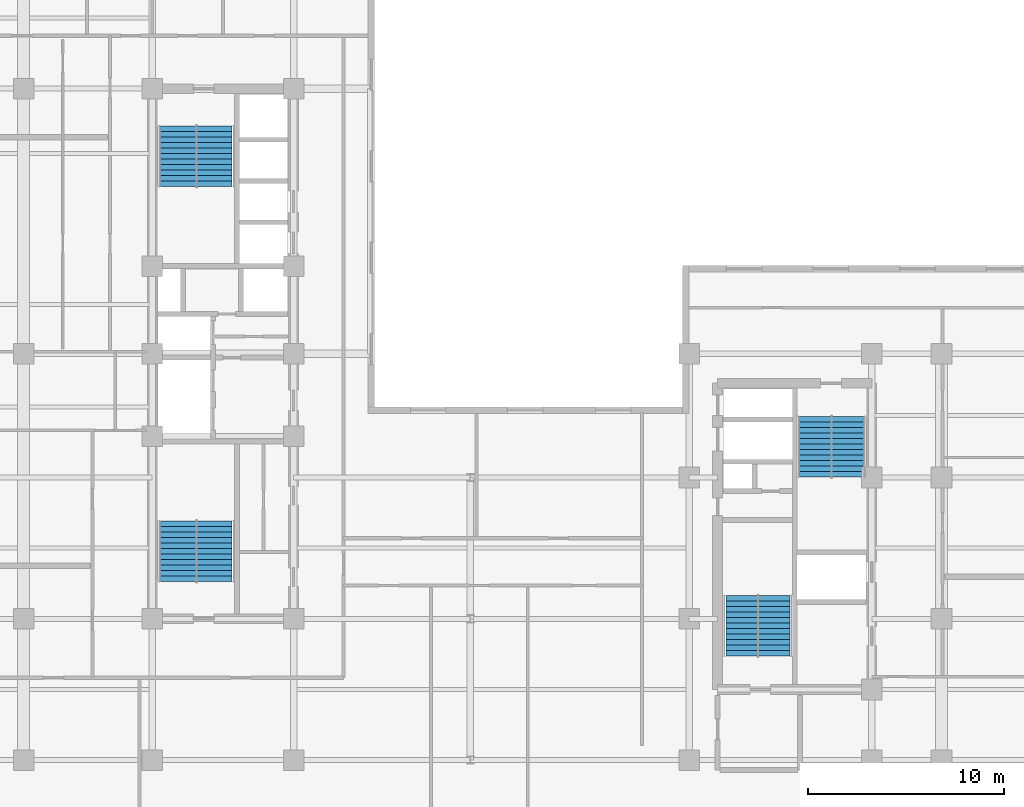
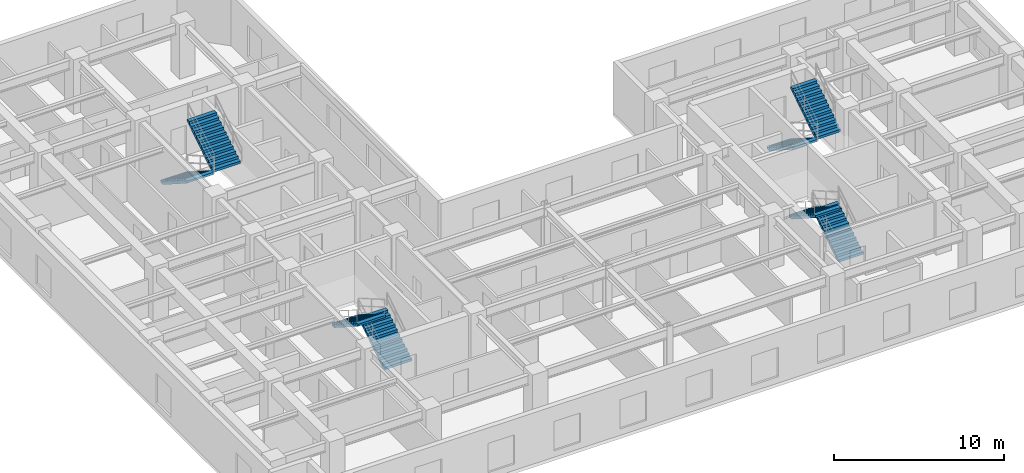
# One storey, part 7 of 10: 8 stair flights, 4 elements without a shape of their own.
"""IFC4 building model written with IfcOpenShell, lengths in metres."""

from ifc_helpers import new_model, entity, si_unit, converted_unit, direction, frame, origin_with_axes, place, context, subcontext, project, spatial, polyline, outline, extrude, material, type_object, element, aggregate, save


model = new_model("IFC4")

# Units and contexts
model_context = context("Model", 3, precision=1e-05, world=origin_with_axes(), true_north=direction((0.0, 1.0)))
body_context = subcontext(model_context, "Body", "Model", "MODEL_VIEW")
ifc_project = project(units=[si_unit("LENGTHUNIT", "METRE"), si_unit("AREAUNIT", "SQUARE_METRE"), si_unit("VOLUMEUNIT", "CUBIC_METRE"), converted_unit("PLANEANGLEUNIT", "DEGREE", entity("IfcPlaneAngleMeasure", 0.017453292519943295), si_unit("PLANEANGLEUNIT", "RADIAN"), dimensions=[0, 0, 0, 0, 0, 0, 0]), si_unit("MASSUNIT", "GRAM", prefix="KILO"), si_unit("THERMODYNAMICTEMPERATUREUNIT", "KELVIN")], contexts=[model_context])

# Site, building, storey
site_placement = place(None, origin_with_axes())
site = spatial("IfcSite", under=ifc_project, at=site_placement, CompositionType="ELEMENT")
building_placement = place(site_placement, origin_with_axes())
building = spatial("IfcBuilding", under=site, at=building_placement, Name="Varnlund Millrace Tower", CompositionType="ELEMENT")
storey_placement = place(building_placement, frame((0.0, 0.0, 152.4), z_axis=(0.0, 0.0, 1.0), x_axis=(1.0, 0.0, 0.0)))
storey = spatial("IfcBuildingStorey", under=building, at=storey_placement, Name="L37", CompositionType="ELEMENT", Elevation=152.4)

# Stair, stair flights
ifc_material_1 = material(Name="Concrete C50/60", Category="concrete")
stair_type_1 = type_object("IfcStairType", Name="Type-Stair-Dogleg-165-390", PredefinedType="HALF_TURN_STAIR", material=ifc_material_1)
stair_1_placement = place(storey_placement, origin_with_axes())
stair_1 = element("IfcStair", 1, at=stair_1_placement, inside=storey, type_object=stair_type_1, Name="Type-Stair-Dogleg-165-390", PredefinedType="HALF_TURN_STAIR")
ifc_material_2 = material(Name="Precast concrete C50/60", Category="concrete")
stair_flight_type_1 = type_object("IfcStairFlightType", Name="Type-Dogleg-Run-165-390", PredefinedType="STRAIGHT", material=ifc_material_2)
stair_flight_1_placement = place(storey_placement, frame((42.225, 8.9, 0.0), z_axis=(1.0, 0.0, 0.0), x_axis=(0.0, 1.0, 0.0)))
stair_flight_1 = element("IfcStairFlight", 2, at=stair_flight_1_placement, type_object=stair_flight_type_1, Name="ST-B1 flight 1", NumberOfRisers=11, NumberOfTreads=11, PredefinedType="STRAIGHT", RiserHeight=0.177273, TreadLength=0.28, context=body_context, shape_type="SweptSolid", body=[
    extrude(outline(polyline([(0.0, 0.0), (0.0, 0.177273), (0.28, 0.177273), (0.28, 0.354545), (0.56, 0.354545), (0.56, 0.531818), (0.84, 0.531818), (0.84, 0.709091), (1.12, 0.709091), (1.12, 0.886364), (1.4, 0.886364), (1.4, 1.063636), (1.68, 1.063636), (1.68, 1.240909), (1.96, 1.240909), (1.96, 1.418182), (2.24, 1.418182), (2.24, 1.595454), (2.52, 1.595454), (2.52, 1.772727), (2.8, 1.772727), (2.8, 1.95), (3.08, 1.95), (3.08, 1.8), (0.28, 0.0), (0.0, 0.0)])), origin_with_axes(), (0.0, 0.0, 1.0), 1.65),
])
stair_flight_2_placement = place(storey_placement, frame((42.275, 11.98, 1.95), z_axis=(-1.0, 0.0, 0.0), x_axis=(0.0, -1.0, 0.0)))
stair_flight_2 = element("IfcStairFlight", 3, at=stair_flight_2_placement, type_object=stair_flight_type_1, Name="ST-B1 flight 2", NumberOfRisers=11, NumberOfTreads=11, PredefinedType="STRAIGHT", RiserHeight=0.177273, TreadLength=0.28, context=body_context, shape_type="SweptSolid", body=[
    extrude(outline(polyline([(0.0, 0.0), (0.0, 0.177273), (0.28, 0.177273), (0.28, 0.354545), (0.56, 0.354545), (0.56, 0.531818), (0.84, 0.531818), (0.84, 0.709091), (1.12, 0.709091), (1.12, 0.886364), (1.4, 0.886364), (1.4, 1.063636), (1.68, 1.063636), (1.68, 1.240909), (1.96, 1.240909), (1.96, 1.418182), (2.24, 1.418182), (2.24, 1.595454), (2.52, 1.595454), (2.52, 1.772727), (2.8, 1.772727), (2.8, 1.95), (3.08, 1.95), (3.08, 1.8), (0.28, 0.0), (0.0, 0.0)])), origin_with_axes(), (0.0, 0.0, 1.0), 1.65),
])
aggregate(stair_1, [stair_flight_1, stair_flight_2])

stair_2_placement = place(storey_placement, origin_with_axes())
stair_2 = element("IfcStair", 4, at=stair_2_placement, inside=storey, type_object=stair_type_1, Name="Type-Stair-Dogleg-165-390", PredefinedType="HALF_TURN_STAIR")
stair_flight_3_placement = place(storey_placement, frame((46.025, 21.1, 0.0), z_axis=(-1.0, 0.0, 0.0), x_axis=(0.0, -1.0, 0.0)))
stair_flight_3 = element("IfcStairFlight", 5, at=stair_flight_3_placement, type_object=stair_flight_type_1, Name="ST-B2 flight 1", NumberOfRisers=11, NumberOfTreads=11, PredefinedType="STRAIGHT", RiserHeight=0.177273, TreadLength=0.28, context=body_context, shape_type="SweptSolid", body=[
    extrude(outline(polyline([(0.0, 0.0), (0.0, 0.177273), (0.28, 0.177273), (0.28, 0.354545), (0.56, 0.354545), (0.56, 0.531818), (0.84, 0.531818), (0.84, 0.709091), (1.12, 0.709091), (1.12, 0.886364), (1.4, 0.886364), (1.4, 1.063636), (1.68, 1.063636), (1.68, 1.240909), (1.96, 1.240909), (1.96, 1.418182), (2.24, 1.418182), (2.24, 1.595454), (2.52, 1.595454), (2.52, 1.772727), (2.8, 1.772727), (2.8, 1.95), (3.08, 1.95), (3.08, 1.8), (0.28, 0.0), (0.0, 0.0)])), origin_with_axes(), (0.0, 0.0, 1.0), 1.65),
])
stair_flight_4_placement = place(storey_placement, frame((45.975, 18.02, 1.95), z_axis=(1.0, 0.0, 0.0), x_axis=(0.0, 1.0, 0.0)))
stair_flight_4 = element("IfcStairFlight", 6, at=stair_flight_4_placement, type_object=stair_flight_type_1, Name="ST-B2 flight 2", NumberOfRisers=11, NumberOfTreads=11, PredefinedType="STRAIGHT", RiserHeight=0.177273, TreadLength=0.28, context=body_context, shape_type="SweptSolid", body=[
    extrude(outline(polyline([(0.0, 0.0), (0.0, 0.177273), (0.28, 0.177273), (0.28, 0.354545), (0.56, 0.354545), (0.56, 0.531818), (0.84, 0.531818), (0.84, 0.709091), (1.12, 0.709091), (1.12, 0.886364), (1.4, 0.886364), (1.4, 1.063636), (1.68, 1.063636), (1.68, 1.240909), (1.96, 1.240909), (1.96, 1.418182), (2.24, 1.418182), (2.24, 1.595454), (2.52, 1.595454), (2.52, 1.772727), (2.8, 1.772727), (2.8, 1.95), (3.08, 1.95), (3.08, 1.8), (0.28, 0.0), (0.0, 0.0)])), origin_with_axes(), (0.0, 0.0, 1.0), 1.65),
])
aggregate(stair_2, [stair_flight_3, stair_flight_4])

stair_type_2 = type_object("IfcStairType", Name="Type-Stair-Dogleg-185-390", PredefinedType="HALF_TURN_STAIR", material=ifc_material_1)
stair_3_placement = place(storey_placement, origin_with_axes())
stair_3 = element("IfcStair", 7, at=stair_3_placement, inside=storey, type_object=stair_type_2, Name="Type-Stair-Dogleg-185-390", PredefinedType="HALF_TURN_STAIR")
stair_flight_type_2 = type_object("IfcStairFlightType", Name="Type-Dogleg-Run-185-390", PredefinedType="STRAIGHT", material=ifc_material_2)
stair_flight_5_placement = place(storey_placement, frame((13.625, 12.7, 0.0), z_axis=(1.0, 0.0, 0.0), x_axis=(0.0, 1.0, 0.0)))
stair_flight_5 = element("IfcStairFlight", 8, at=stair_flight_5_placement, type_object=stair_flight_type_2, Name="ST-A1 flight 1", NumberOfRisers=11, NumberOfTreads=11, PredefinedType="STRAIGHT", RiserHeight=0.177273, TreadLength=0.28, context=body_context, shape_type="SweptSolid", body=[
    extrude(outline(polyline([(0.0, 0.0), (0.0, 0.177273), (0.28, 0.177273), (0.28, 0.354545), (0.56, 0.354545), (0.56, 0.531818), (0.84, 0.531818), (0.84, 0.709091), (1.12, 0.709091), (1.12, 0.886364), (1.4, 0.886364), (1.4, 1.063636), (1.68, 1.063636), (1.68, 1.240909), (1.96, 1.240909), (1.96, 1.418182), (2.24, 1.418182), (2.24, 1.595454), (2.52, 1.595454), (2.52, 1.772727), (2.8, 1.772727), (2.8, 1.95), (3.08, 1.95), (3.08, 1.8), (0.28, 0.0), (0.0, 0.0)])), origin_with_axes(), (0.0, 0.0, 1.0), 1.85),
])
stair_flight_6_placement = place(storey_placement, frame((13.675, 15.78, 1.95), z_axis=(-1.0, 0.0, 0.0), x_axis=(0.0, -1.0, 0.0)))
stair_flight_6 = element("IfcStairFlight", 9, at=stair_flight_6_placement, type_object=stair_flight_type_2, Name="ST-A1 flight 2", NumberOfRisers=11, NumberOfTreads=11, PredefinedType="STRAIGHT", RiserHeight=0.177273, TreadLength=0.28, context=body_context, shape_type="SweptSolid", body=[
    extrude(outline(polyline([(0.0, 0.0), (0.0, 0.177273), (0.28, 0.177273), (0.28, 0.354545), (0.56, 0.354545), (0.56, 0.531818), (0.84, 0.531818), (0.84, 0.709091), (1.12, 0.709091), (1.12, 0.886364), (1.4, 0.886364), (1.4, 1.063636), (1.68, 1.063636), (1.68, 1.240909), (1.96, 1.240909), (1.96, 1.418182), (2.24, 1.418182), (2.24, 1.595454), (2.52, 1.595454), (2.52, 1.772727), (2.8, 1.772727), (2.8, 1.95), (3.08, 1.95), (3.08, 1.8), (0.28, 0.0), (0.0, 0.0)])), origin_with_axes(), (0.0, 0.0, 1.0), 1.85),
])
aggregate(stair_3, [stair_flight_5, stair_flight_6])

stair_4_placement = place(storey_placement, origin_with_axes())
stair_4 = element("IfcStair", 10, at=stair_4_placement, inside=storey, type_object=stair_type_2, Name="Type-Stair-Dogleg-185-390", PredefinedType="HALF_TURN_STAIR")
stair_flight_7_placement = place(storey_placement, frame((13.675, 35.9, 0.0), z_axis=(-1.0, 0.0, 0.0), x_axis=(0.0, -1.0, 0.0)))
stair_flight_7 = element("IfcStairFlight", 11, at=stair_flight_7_placement, type_object=stair_flight_type_2, Name="ST-A2 flight 1", NumberOfRisers=11, NumberOfTreads=11, PredefinedType="STRAIGHT", RiserHeight=0.177273, TreadLength=0.28, context=body_context, shape_type="SweptSolid", body=[
    extrude(outline(polyline([(0.0, 0.0), (0.0, 0.177273), (0.28, 0.177273), (0.28, 0.354545), (0.56, 0.354545), (0.56, 0.531818), (0.84, 0.531818), (0.84, 0.709091), (1.12, 0.709091), (1.12, 0.886364), (1.4, 0.886364), (1.4, 1.063636), (1.68, 1.063636), (1.68, 1.240909), (1.96, 1.240909), (1.96, 1.418182), (2.24, 1.418182), (2.24, 1.595454), (2.52, 1.595454), (2.52, 1.772727), (2.8, 1.772727), (2.8, 1.95), (3.08, 1.95), (3.08, 1.8), (0.28, 0.0), (0.0, 0.0)])), origin_with_axes(), (0.0, 0.0, 1.0), 1.85),
])
stair_flight_8_placement = place(storey_placement, frame((13.625, 32.82, 1.95), z_axis=(1.0, 0.0, 0.0), x_axis=(0.0, 1.0, 0.0)))
stair_flight_8 = element("IfcStairFlight", 12, at=stair_flight_8_placement, type_object=stair_flight_type_2, Name="ST-A2 flight 2", NumberOfRisers=11, NumberOfTreads=11, PredefinedType="STRAIGHT", RiserHeight=0.177273, TreadLength=0.28, context=body_context, shape_type="SweptSolid", body=[
    extrude(outline(polyline([(0.0, 0.0), (0.0, 0.177273), (0.28, 0.177273), (0.28, 0.354545), (0.56, 0.354545), (0.56, 0.531818), (0.84, 0.531818), (0.84, 0.709091), (1.12, 0.709091), (1.12, 0.886364), (1.4, 0.886364), (1.4, 1.063636), (1.68, 1.063636), (1.68, 1.240909), (1.96, 1.240909), (1.96, 1.418182), (2.24, 1.418182), (2.24, 1.595454), (2.52, 1.595454), (2.52, 1.772727), (2.8, 1.772727), (2.8, 1.95), (3.08, 1.95), (3.08, 1.8), (0.28, 0.0), (0.0, 0.0)])), origin_with_axes(), (0.0, 0.0, 1.0), 1.85),
])
aggregate(stair_4, [stair_flight_7, stair_flight_8])

save(model, "model.ifc")
